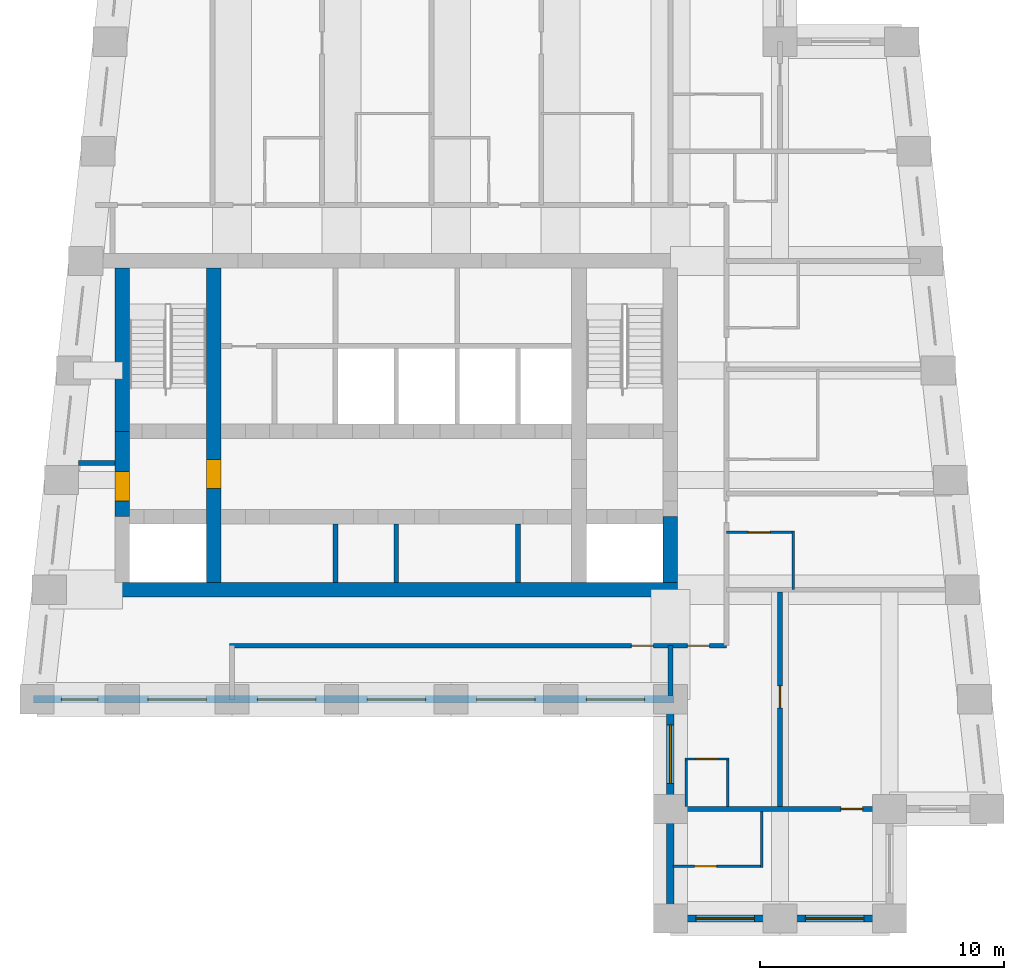
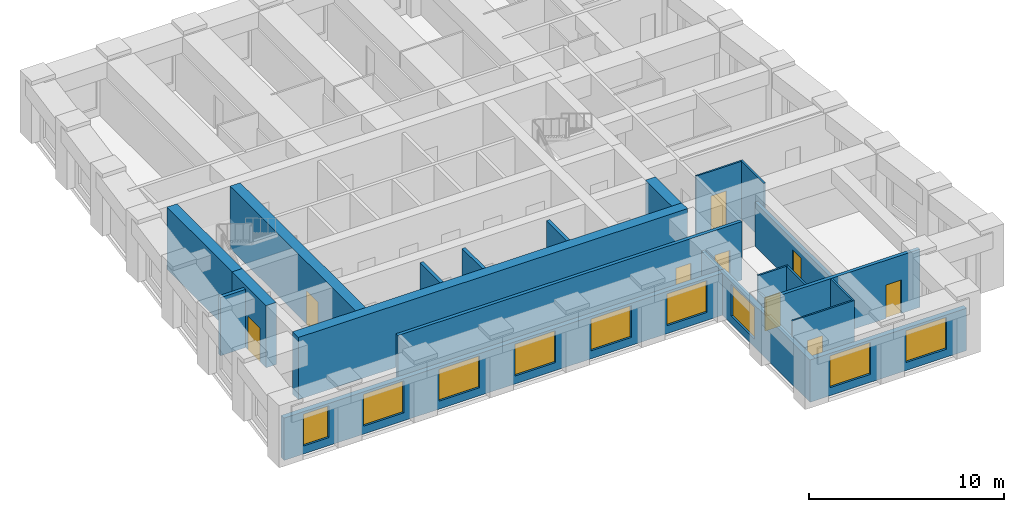
# One storey, part 2 of 7: 23 walls, 9 doors, 9 windows, 18 openings.
"""IFC4 building model written with IfcOpenShell, lengths in metres."""

from ifc_helpers import new_model, si_unit, direction, frame, frame_2d, origin, place, context, subcontext, project, spatial, rectangle, extrude, material, layer, layer_set, type_object, element, fill, save


model = new_model("IFC4")

# Units and contexts
model_context = context("Model", 3, precision=1e-05, world=origin(), true_north=direction((0.0, 1.0)))
body_context = subcontext(model_context, "Body", "Model", "MODEL_VIEW")
ifc_project = project(units=[si_unit("LENGTHUNIT", "METRE"), si_unit("AREAUNIT", "SQUARE_METRE"), si_unit("VOLUMEUNIT", "CUBIC_METRE"), si_unit("PLANEANGLEUNIT", "RADIAN"), si_unit("MASSUNIT", "GRAM", prefix="KILO")], contexts=[model_context])

# Site, building, storey
site_placement = place(None, origin())
site = spatial("IfcSite", under=ifc_project, at=site_placement, CompositionType="ELEMENT")
building_placement = place(site_placement, origin())
building = spatial("IfcBuilding", under=site, at=building_placement, Name="Kilele Tower Hotel", CompositionType="ELEMENT")
storey_placement = place(building_placement, frame((0.0, 0.0, 270.199951171875)))
storey = spatial("IfcBuildingStorey", under=building, at=storey_placement, Name="L69", CompositionType="ELEMENT", Elevation=270.199951171875)

# Wall
ifc_material_1 = material(Name="Moisture-resistant board")
ifc_layer_1 = layer(ifc_material_1, 0.10009765625)
ifc_layer_set_1 = layer_set([ifc_layer_1], Name="Moisture-resistant board")
wall_type_1 = type_object("IfcWallType", Name="Bathroom partition 100", PredefinedType="PLUMBINGWALL", material=ifc_layer_set_1)
wall_1_placement = place(storey_placement, frame((41.050048828125, 13.5, 0.0), z_axis=(0.0, 0.0, 1.0), x_axis=(0.0, 1.0, 0.0)))
element("IfcWall", 1, at=wall_1_placement, inside=storey, type_object=wall_type_1, Name="Bathroom partition 100 L69", PredefinedType="PLUMBINGWALL", context=body_context, shape_type="SweptSolid", body=[
    extrude(rectangle(XDim=2.39990234375, YDim=0.10009765625, at=frame_2d((1.199951171875, 0.0))), origin(), (0.0, 0.0, 1.0), 3.650146484375),
])

# Wall, opening, door
wall_2_placement = place(storey_placement, frame((38.300048828125, 15.85009765625, 0.0), z_axis=(0.0, 0.0, 1.0), x_axis=(1.0, 0.0, 0.0)))
wall_2 = element("IfcWall", 2, at=wall_2_placement, inside=storey, type_object=wall_type_1, Name="Bathroom partition 100 L69", PredefinedType="PLUMBINGWALL", context=body_context, shape_type="SweptSolid", body=[
    extrude(rectangle(XDim=2.800048828125, YDim=0.10009765625, at=frame_2d((1.39990234375, 0.0))), origin(), (0.0, 0.0, 1.0), 3.650146484375),
])
opening_1_placement = place(wall_2_placement, frame((0.89990234375, 0.0, 0.0)))
opening_1 = element("IfcOpeningElement", 3, at=opening_1_placement, cuts=wall_2, Name="Opening D2A", PredefinedType="OPENING", context=body_context, shape_type="SweptSolid", body=[
    extrude(rectangle(XDim=0.89990234375, YDim=2.10009765625, at=frame_2d((0.449951171875, 1.050048828125))), frame((0.0, 0.06005859375, 0.0), z_axis=(0.0, -1.0, 0.0), x_axis=(1.0, 0.0, 0.0)), (0.0, 0.0, 1.0), 0.1201171875),
])
ifc_material_2 = material(Name="Timber door leaf in hardwood frame", Category="wood")
door_type_1 = type_object("IfcDoorType", Name="Bathroom door 900", OperationType="SINGLE_SWING_LEFT", PredefinedType="DOOR", material=ifc_material_2)
door_1_placement = place(opening_1_placement, origin())
door_1 = element("IfcDoor", 4, at=door_1_placement, inside=storey, type_object=door_type_1, Name="Bathroom door 6903B", OperationType="SINGLE_SWING_LEFT", OverallHeight=2.10009765625, OverallWidth=0.89990234375, PredefinedType="DOOR", context=body_context, shape_type="SweptSolid", body=[
    extrude(rectangle(XDim=0.89990234375, YDim=2.10009765625, at=frame_2d((0.449951171875, 1.050048828125))), frame((0.0, 0.02490234375, 0.0), z_axis=(0.0, -1.0, 0.0), x_axis=(1.0, 0.0, 0.0)), (0.0, 0.0, 1.0), 0.050048828125),
])
fill(opening_1, door_1)

# Walls
wall_3_placement = place(storey_placement, frame((38.35009765625, 4.60009765625, 0.0), z_axis=(0.0, 0.0, 1.0), x_axis=(0.0, 1.0, 0.0)))
element("IfcWall", 5, at=wall_3_placement, inside=storey, type_object=wall_type_1, Name="Bathroom partition 100 L69", PredefinedType="PLUMBINGWALL", context=body_context, shape_type="SweptSolid", body=[
    extrude(rectangle(XDim=2.0, YDim=0.10009765625, at=frame_2d((1.0, 0.0))), origin(), (0.0, 0.0, 1.0), 3.650146484375),
])
wall_4_placement = place(storey_placement, frame((36.64990234375, 4.60009765625, 0.0), z_axis=(0.0, 0.0, 1.0), x_axis=(0.0, 1.0, 0.0)))
element("IfcWall", 6, at=wall_4_placement, inside=storey, type_object=wall_type_1, Name="Bathroom partition 100 L69", PredefinedType="PLUMBINGWALL", context=body_context, shape_type="SweptSolid", body=[
    extrude(rectangle(XDim=2.0, YDim=0.10009765625, at=frame_2d((1.0, 0.0))), origin(), (0.0, 0.0, 1.0), 2.650146484375),
])

# Wall, opening, door
wall_5_placement = place(storey_placement, frame((36.60009765625, 6.550048828125, 0.0), z_axis=(0.0, 0.0, 1.0), x_axis=(1.0, 0.0, 0.0)))
wall_5 = element("IfcWall", 7, at=wall_5_placement, inside=storey, type_object=wall_type_1, Name="Bathroom partition 100 L69", PredefinedType="PLUMBINGWALL", context=body_context, shape_type="SweptSolid", body=[
    extrude(rectangle(XDim=1.7998046875, YDim=0.10009765625, at=frame_2d((0.89990234375, 0.0))), origin(), (0.0, 0.0, 1.0), 3.650146484375),
])
opening_2_placement = place(wall_5_placement, frame((0.449951171875, 0.0, 0.0)))
opening_2 = element("IfcOpeningElement", 8, at=opening_2_placement, cuts=wall_5, Name="Opening D2A", PredefinedType="OPENING", context=body_context, shape_type="SweptSolid", body=[
    extrude(rectangle(XDim=0.89990234375, YDim=2.10009765625, at=frame_2d((0.449951171875, 1.050048828125))), frame((0.0, 0.06005859375, 0.0), z_axis=(0.0, -1.0, 0.0), x_axis=(1.0, 0.0, 0.0)), (0.0, 0.0, 1.0), 0.1201171875),
])
door_2_placement = place(opening_2_placement, origin())
door_2 = element("IfcDoor", 9, at=door_2_placement, inside=storey, type_object=door_type_1, Name="Bathroom door 6911P", OperationType="SINGLE_SWING_LEFT", OverallHeight=2.10009765625, OverallWidth=0.89990234375, PredefinedType="DOOR", context=body_context, shape_type="SweptSolid", body=[
    extrude(rectangle(XDim=0.89990234375, YDim=2.10009765625, at=frame_2d((0.449951171875, 1.050048828125))), frame((0.0, 0.02490234375, 0.0), z_axis=(0.0, -1.0, 0.0), x_axis=(1.0, 0.0, 0.0)), (0.0, 0.0, 1.0), 0.050048828125),
])
fill(opening_2, door_2)

# Wall
wall_6_placement = place(storey_placement, frame((39.75, 4.39990234375, 0.0), z_axis=(0.0, 0.0, 1.0), x_axis=(0.0, -1.0, 0.0)))
element("IfcWall", 10, at=wall_6_placement, inside=storey, type_object=wall_type_1, Name="Bathroom partition 100 L69", PredefinedType="PLUMBINGWALL", context=body_context, shape_type="SweptSolid", body=[
    extrude(rectangle(XDim=2.2998046875, YDim=0.10009765625, at=frame_2d((1.14990234375, 0.0))), origin(), (0.0, 0.0, 1.0), 3.650146484375),
])

# Wall, opening, door
wall_7_placement = place(storey_placement, frame((36.10009765625, 2.14990234375, 0.0), z_axis=(0.0, 0.0, 1.0), x_axis=(1.0, 0.0, 0.0)))
wall_7 = element("IfcWall", 11, at=wall_7_placement, inside=storey, type_object=wall_type_1, Name="Bathroom partition 100 L69", PredefinedType="PLUMBINGWALL", context=body_context, shape_type="SweptSolid", body=[
    extrude(rectangle(XDim=3.699951171875, YDim=0.10009765625, at=frame_2d((1.85009765625, 0.0))), origin(), (0.0, 0.0, 1.0), 3.650146484375),
])
opening_3_placement = place(wall_7_placement, frame((1.7998046875, 0.0, 0.0), z_axis=(0.0, 0.0, 1.0), x_axis=(-1.0, 0.0, 0.0)))
opening_3 = element("IfcOpeningElement", 12, at=opening_3_placement, cuts=wall_7, Name="Opening D2A", PredefinedType="OPENING", context=body_context, shape_type="SweptSolid", body=[
    extrude(rectangle(XDim=0.89990234375, YDim=2.10009765625, at=frame_2d((0.449951171875, 1.050048828125))), frame((0.0, 0.06005859375, 0.0), z_axis=(0.0, -1.0, 0.0), x_axis=(1.0, 0.0, 0.0)), (0.0, 0.0, 1.0), 0.1201171875),
])
door_3_placement = place(opening_3_placement, origin())
door_3 = element("IfcDoor", 13, at=door_3_placement, inside=storey, type_object=door_type_1, Name="Bathroom door 6913B", OperationType="SINGLE_SWING_RIGHT", OverallHeight=2.10009765625, OverallWidth=0.89990234375, PredefinedType="DOOR", context=body_context, shape_type="SweptSolid", body=[
    extrude(rectangle(XDim=0.89990234375, YDim=2.10009765625, at=frame_2d((0.449951171875, 1.050048828125))), frame((0.0, 0.02490234375, 0.0), z_axis=(0.0, -1.0, 0.0), x_axis=(1.0, 0.0, 0.0)), (0.0, 0.0, 1.0), 0.050048828125),
])
fill(opening_3, door_3)

# Wall
ifc_material_3 = material(Name="Concrete C60/75", Category="concrete")
ifc_layer_2 = layer(ifc_material_3, 0.60009765625)
ifc_layer_set_2 = layer_set([ifc_layer_2], Name="Concrete C60/75")
wall_type_2 = type_object("IfcWallType", Name="Core wall 600 C60/75", PredefinedType="SHEAR", material=ifc_layer_set_2)
wall_8_placement = place(storey_placement, frame((13.199951171875, 13.5, 0.0), z_axis=(0.0, 0.0, 1.0), x_axis=(1.0, 0.0, 0.0)))
element("IfcWall", 14, at=wall_8_placement, inside=storey, type_object=wall_type_2, Name="Core wall S L69", PredefinedType="SHEAR", context=body_context, shape_type="SweptSolid", body=[
    extrude(rectangle(XDim=23.10009765625, YDim=0.60009765625, at=frame_2d((11.550048828125, 0.0))), origin(), (0.0, 0.0, 1.0), 3.900146484375),
])

# Wall, opening, door
wall_9_placement = place(storey_placement, frame((17.25, 13.800048828125, 0.0), z_axis=(0.0, 0.0, 1.0), x_axis=(0.0, 1.0, 0.0)))
wall_9 = element("IfcWall", 15, at=wall_9_placement, inside=storey, type_object=wall_type_2, Name="Core wall IW L69", PredefinedType="SHEAR", context=body_context, shape_type="SweptSolid", body=[
    extrude(rectangle(XDim=12.89990234375, YDim=0.60009765625, at=frame_2d((6.449951171875, 0.0))), origin(), (0.0, 0.0, 1.0), 3.900146484375),
])
opening_4_placement = place(wall_9_placement, frame((3.85009765625, 0.0, 0.0)))
opening_4 = element("IfcOpeningElement", 16, at=opening_4_placement, cuts=wall_9, Name="Opening D4", PredefinedType="OPENING", context=body_context, shape_type="SweptSolid", body=[
    extrude(rectangle(XDim=1.199951171875, YDim=2.10009765625, at=frame_2d((0.60009765625, 1.050048828125))), frame((0.0, 0.31005859375, 0.0), z_axis=(0.0, -1.0, 0.0), x_axis=(1.0, 0.0, 0.0)), (0.0, 0.0, 1.0), 0.6201171875),
])
ifc_material_4 = material(Name="Timber door leaf in hardwood frame", Category="wood")
door_type_2 = type_object("IfcDoorType", Name="Firefighting lobby door 1200", OperationType="SINGLE_SWING_LEFT", PredefinedType="DOOR", material=ifc_material_4)
door_4_placement = place(opening_4_placement, origin())
door_4 = element("IfcDoor", 17, at=door_4_placement, inside=storey, type_object=door_type_2, Name="Lobby door L69", OperationType="SINGLE_SWING_LEFT", OverallHeight=2.10009765625, OverallWidth=1.199951171875, PredefinedType="DOOR", context=body_context, shape_type="SweptSolid", body=[
    extrude(rectangle(XDim=1.199951171875, YDim=2.10009765625, at=frame_2d((0.60009765625, 1.050048828125))), frame((0.0, 0.2998046875, 0.0), z_axis=(0.0, -1.0, 0.0), x_axis=(1.0, 0.0, 0.0)), (0.0, 0.0, 1.0), 0.599609375),
])
fill(opening_4, door_4)

# Wall
wall_10_placement = place(storey_placement, frame((13.5, 26.699951171875, 0.0), z_axis=(0.0, 0.0, 1.0), x_axis=(0.0, -1.0, 0.0)))
element("IfcWall", 18, at=wall_10_placement, inside=storey, type_object=wall_type_2, Name="Core wall W1 L69", PredefinedType="SHEAR", context=body_context, shape_type="SweptSolid", body=[
    extrude(rectangle(XDim=6.699951171875, YDim=0.60009765625, at=frame_2d((3.35009765625, 0.0))), origin(), (0.0, 0.0, 1.0), 3.900146484375),
])

# Wall, opening, door
wall_11_placement = place(storey_placement, frame((13.5, 20.0, 0.0), z_axis=(0.0, 0.0, 1.0), x_axis=(0.0, -1.0, 0.0)))
wall_11 = element("IfcWall", 19, at=wall_11_placement, inside=storey, type_object=wall_type_2, Name="Core wall W2 L69", PredefinedType="SHEAR", context=body_context, shape_type="SweptSolid", body=[
    extrude(rectangle(XDim=3.5, YDim=0.60009765625, at=frame_2d((1.75, 0.0))), origin(), (0.0, 0.0, 1.0), 3.900146484375),
])
opening_5_placement = place(wall_11_placement, frame((1.64990234375, 0.0, 0.0)))
opening_5 = element("IfcOpeningElement", 20, at=opening_5_placement, cuts=wall_11, Name="Opening D4", PredefinedType="OPENING", context=body_context, shape_type="SweptSolid", body=[
    extrude(rectangle(XDim=1.199951171875, YDim=2.10009765625, at=frame_2d((0.60009765625, 1.050048828125))), frame((0.0, 0.31005859375, 0.0), z_axis=(0.0, -1.0, 0.0), x_axis=(1.0, 0.0, 0.0)), (0.0, 0.0, 1.0), 0.6201171875),
])
door_5_placement = place(opening_5_placement, origin())
door_5 = element("IfcDoor", 21, at=door_5_placement, inside=storey, type_object=door_type_2, Name="Lobby door L69", OperationType="SINGLE_SWING_RIGHT", OverallHeight=2.10009765625, OverallWidth=1.199951171875, PredefinedType="DOOR", context=body_context, shape_type="SweptSolid", body=[
    extrude(rectangle(XDim=1.199951171875, YDim=2.10009765625, at=frame_2d((0.60009765625, 1.050048828125))), frame((0.0, 0.2998046875, 0.0), z_axis=(0.0, -1.0, 0.0), x_axis=(1.0, 0.0, 0.0)), (0.0, 0.0, 1.0), 0.599609375),
])
fill(opening_5, door_5)

# Wall
wall_12_placement = place(storey_placement, frame((36.0, 13.800048828125, 0.0), z_axis=(0.0, 0.0, 1.0), x_axis=(0.0, 1.0, 0.0)))
element("IfcWall", 22, at=wall_12_placement, inside=storey, type_object=wall_type_2, Name="Core wall E1 L69", PredefinedType="SHEAR", context=body_context, shape_type="SweptSolid", body=[
    extrude(rectangle(XDim=2.699951171875, YDim=0.60009765625, at=frame_2d((1.35009765625, 0.0))), origin(), (0.0, 0.0, 1.0), 3.900146484375),
])

# Wall, openings, doors
ifc_material_5 = material(Name="Blockwork, plastered both sides", Category="masonry")
ifc_layer_3 = layer(ifc_material_5, 0.199951171875)
ifc_layer_set_3 = layer_set([ifc_layer_3], Name="Blockwork, plastered both sides")
wall_type_3 = type_object("IfcWallType", Name="Corridor wall 200", PredefinedType="PARTITIONING", material=ifc_layer_set_3)
wall_13_placement = place(storey_placement, frame((17.89990234375, 11.199951171875, 0.0), z_axis=(0.0, 0.0, 1.0), x_axis=(1.0, 0.0, 0.0)))
wall_13 = element("IfcWall", 23, at=wall_13_placement, inside=storey, type_object=wall_type_3, Name="Corridor wall 200 L69", PredefinedType="PARTITIONING", context=body_context, shape_type="SweptSolid", body=[
    extrude(rectangle(XDim=20.400146484375, YDim=0.199951171875, at=frame_2d((10.2001953125, 0.0))), origin(), (0.0, 0.0, 1.0), 3.650146484375),
])
opening_6_placement = place(wall_13_placement, frame((17.39990234375, 0.0, 0.0), z_axis=(0.0, 0.0, 1.0), x_axis=(-1.0, 0.0, 0.0)))
opening_6 = element("IfcOpeningElement", 24, at=opening_6_placement, cuts=wall_13, Name="Opening D1", PredefinedType="OPENING", context=body_context, shape_type="SweptSolid", body=[
    extrude(rectangle(XDim=0.89990234375, YDim=2.10009765625, at=frame_2d((0.449951171875, 1.050048828125))), frame((0.0, 0.10986328125, 0.0), z_axis=(0.0, -1.0, 0.0), x_axis=(1.0, 0.0, 0.0)), (0.0, 0.0, 1.0), 0.219970703125),
])
opening_7_placement = place(wall_13_placement, frame((19.699951171875, 0.0, 0.0), z_axis=(0.0, 0.0, 1.0), x_axis=(-1.0, 0.0, 0.0)))
opening_7 = element("IfcOpeningElement", 25, at=opening_7_placement, cuts=wall_13, Name="Opening D1", PredefinedType="OPENING", context=body_context, shape_type="SweptSolid", body=[
    extrude(rectangle(XDim=0.89990234375, YDim=2.10009765625, at=frame_2d((0.449951171875, 1.050048828125))), frame((0.0, 0.10986328125, 0.0), z_axis=(0.0, -1.0, 0.0), x_axis=(1.0, 0.0, 0.0)), (0.0, 0.0, 1.0), 0.219970703125),
])
ifc_material_6 = material(Name="Timber door leaf in hardwood frame", Category="wood")
door_type_3 = type_object("IfcDoorType", Name="Guest room entrance door 900", OperationType="SINGLE_SWING_LEFT", PredefinedType="DOOR", material=ifc_material_6)
door_6_placement = place(opening_6_placement, origin())
door_6 = element("IfcDoor", 26, at=door_6_placement, inside=storey, type_object=door_type_3, Name="Room entrance 6902", OperationType="SINGLE_SWING_LEFT", OverallHeight=2.10009765625, OverallWidth=0.89990234375, PredefinedType="DOOR", context=body_context, shape_type="SweptSolid", body=[
    extrude(rectangle(XDim=0.89990234375, YDim=2.10009765625, at=frame_2d((0.449951171875, 1.050048828125))), frame((0.0, 0.02490234375, 0.0), z_axis=(0.0, -1.0, 0.0), x_axis=(1.0, 0.0, 0.0)), (0.0, 0.0, 1.0), 0.050048828125),
])
fill(opening_6, door_6)
door_7_placement = place(opening_7_placement, origin())
door_7 = element("IfcDoor", 27, at=door_7_placement, inside=storey, type_object=door_type_3, Name="Room entrance 6911", OperationType="SINGLE_SWING_RIGHT", OverallHeight=2.10009765625, OverallWidth=0.89990234375, PredefinedType="DOOR", context=body_context, shape_type="SweptSolid", body=[
    extrude(rectangle(XDim=0.89990234375, YDim=2.10009765625, at=frame_2d((0.449951171875, 1.050048828125))), frame((0.0, 0.02490234375, 0.0), z_axis=(0.0, -1.0, 0.0), x_axis=(1.0, 0.0, 0.0)), (0.0, 0.0, 1.0), 0.050048828125),
])
fill(opening_7, door_7)

# Wall
ifc_material_7 = material(Name="Blockwork, plastered both sides", Category="masonry")
ifc_layer_4 = layer(ifc_material_7, 0.199951171875)
ifc_layer_set_4 = layer_set([ifc_layer_4], Name="Blockwork, plastered both sides")
wall_type_4 = type_object("IfcWallType", Name="Partition wall 200", PredefinedType="PARTITIONING", material=ifc_layer_set_4)
wall_14_placement = place(storey_placement, frame((13.199951171875, 18.699951171875, 0.0), z_axis=(0.0, 0.0, 1.0), x_axis=(-1.0, 0.0, 0.0)))
element("IfcWall", 28, at=wall_14_placement, inside=storey, type_object=wall_type_4, Name="Partition wall 200 L69", PredefinedType="PARTITIONING", context=body_context, shape_type="SweptSolid", body=[
    extrude(rectangle(XDim=1.5, YDim=0.199951171875, at=frame_2d((0.75, 0.0))), origin(), (0.0, 0.0, 1.0), 3.650146484375),
])

# Wall, opening, door
wall_15_placement = place(storey_placement, frame((40.5, 4.60009765625, 0.0), z_axis=(0.0, 0.0, 1.0), x_axis=(0.0, 1.0, 0.0)))
wall_15 = element("IfcWall", 29, at=wall_15_placement, inside=storey, type_object=wall_type_4, Name="Partition wall 200 L69", PredefinedType="PARTITIONING", context=body_context, shape_type="SweptSolid", body=[
    extrude(rectangle(XDim=8.7998046875, YDim=0.199951171875, at=frame_2d((4.39990234375, 0.0))), origin(), (0.0, 0.0, 1.0), 2.75),
])
opening_8_placement = place(wall_15_placement, frame((4.050048828125, 0.0, 0.0)))
opening_8 = element("IfcOpeningElement", 30, at=opening_8_placement, cuts=wall_15, Name="Opening D3", PredefinedType="OPENING", context=body_context, shape_type="SweptSolid", body=[
    extrude(rectangle(XDim=0.89990234375, YDim=2.10009765625, at=frame_2d((0.449951171875, 1.050048828125))), frame((0.0, 0.10986328125, 0.0), z_axis=(0.0, -1.0, 0.0), x_axis=(1.0, 0.0, 0.0)), (0.0, 0.0, 1.0), 0.219970703125),
])
ifc_material_8 = material(Name="Timber door leaf in hardwood frame", Category="wood")
door_type_4 = type_object("IfcDoorType", Name="Suite internal door 900", OperationType="SINGLE_SWING_LEFT", PredefinedType="DOOR", material=ifc_material_8)
door_8_placement = place(opening_8_placement, origin())
door_8 = element("IfcDoor", 31, at=door_8_placement, inside=storey, type_object=door_type_4, Name="Suite door 6912", OperationType="SINGLE_SWING_RIGHT", OverallHeight=2.10009765625, OverallWidth=0.89990234375, PredefinedType="DOOR", context=body_context, shape_type="SweptSolid", body=[
    extrude(rectangle(XDim=0.89990234375, YDim=2.10009765625, at=frame_2d((0.449951171875, 1.050048828125))), frame((0.0, 0.02490234375, 0.0), z_axis=(0.0, -1.0, 0.0), x_axis=(1.0, 0.0, 0.0)), (0.0, 0.0, 1.0), 0.050048828125),
])
fill(opening_8, door_8)

# Wall
ifc_material_9 = material(Name="Blockwork, plastered both sides", Category="masonry")
ifc_layer_5 = layer(ifc_material_9, 0.199951171875)
ifc_layer_set_5 = layer_set([ifc_layer_5], Name="Blockwork, plastered both sides")
wall_type_5 = type_object("IfcWallType", Name="Party wall 200", PredefinedType="PARTITIONING", material=ifc_layer_set_5)
wall_16_placement = place(storey_placement, frame((36.0, 11.199951171875, 0.0), z_axis=(0.0, 0.0, 1.0), x_axis=(0.0, -1.0, 0.0)))
element("IfcWall", 32, at=wall_16_placement, inside=storey, type_object=wall_type_5, Name="Party wall 200 L69", PredefinedType="PARTITIONING", context=body_context, shape_type="SweptSolid", body=[
    extrude(rectangle(XDim=2.050048828125, YDim=0.199951171875, at=frame_2d((1.02490234375, 0.0))), origin(), (0.0, 0.0, 1.0), 2.650146484375),
])

# Wall, opening, door
wall_17_placement = place(storey_placement, frame((35.89990234375, 4.5, 0.0), z_axis=(0.0, 0.0, 1.0), x_axis=(1.0, 0.0, 0.0)))
wall_17 = element("IfcWall", 33, at=wall_17_placement, inside=storey, type_object=wall_type_5, Name="Party wall 200 L69", PredefinedType="PARTITIONING", context=body_context, shape_type="SweptSolid", body=[
    extrude(rectangle(XDim=9.10009765625, YDim=0.199951171875, at=frame_2d((4.550048828125, 0.0))), origin(), (0.0, 0.0, 1.0), 3.650146484375),
])
opening_9_placement = place(wall_17_placement, frame((7.10009765625, 0.0, 0.0)))
opening_9 = element("IfcOpeningElement", 34, at=opening_9_placement, cuts=wall_17, Name="Opening D3", PredefinedType="OPENING", context=body_context, shape_type="SweptSolid", body=[
    extrude(rectangle(XDim=0.89990234375, YDim=2.10009765625, at=frame_2d((0.449951171875, 1.050048828125))), frame((0.0, 0.10986328125, 0.0), z_axis=(0.0, -1.0, 0.0), x_axis=(1.0, 0.0, 0.0)), (0.0, 0.0, 1.0), 0.219970703125),
])
door_9_placement = place(opening_9_placement, origin())
door_9 = element("IfcDoor", 35, at=door_9_placement, inside=storey, type_object=door_type_4, Name="Suite door 6913", OperationType="SINGLE_SWING_RIGHT", OverallHeight=2.10009765625, OverallWidth=0.89990234375, PredefinedType="DOOR", context=body_context, shape_type="SweptSolid", body=[
    extrude(rectangle(XDim=0.89990234375, YDim=2.10009765625, at=frame_2d((0.449951171875, 1.050048828125))), frame((0.0, 0.02490234375, 0.0), z_axis=(0.0, -1.0, 0.0), x_axis=(1.0, 0.0, 0.0)), (0.0, 0.0, 1.0), 0.050048828125),
])
fill(opening_9, door_9)

# Wall, openings, windows
ifc_material_10 = material(Name="Concrete C40/50 precast", Category="concrete")
ifc_layer_6 = layer(ifc_material_10, 0.260009765625, Name="Precast backing", Category="LoadBearing")
ifc_material_11 = material(Name="Reconstituted stone finish", Category="masonry")
ifc_layer_7 = layer(ifc_material_11, 0.0400390625, Name="Face mix", Category="Finish")
ifc_layer_set_6 = layer_set([ifc_layer_6, ifc_layer_7], Name="Precast concrete C40/50, reconstituted stone finish")
wall_type_6 = type_object("IfcWallType", Name="Precast stone facade wall 300", PredefinedType="STANDARD", material=ifc_layer_set_6)
wall_18_placement = place(storey_placement, frame((9.85009765625, 9.0, 0.0), z_axis=(0.0, 0.0, 1.0), x_axis=(1.0, 0.0, 0.0)))
wall_18 = element("IfcWall", 36, at=wall_18_placement, inside=storey, type_object=wall_type_6, Name="Facade wall L69 edge 1", PredefinedType="STANDARD", context=body_context, shape_type="SweptSolid", body=[
    extrude(rectangle(XDim=26.2998046875, YDim=0.300048828125, at=frame_2d((13.14990234375, 0.0))), origin(), (0.0, 0.0, 1.0), 2.650146484375),
])
opening_10_placement = place(wall_18_placement, frame((1.14990234375, 0.0, 0.5)))
opening_10 = element("IfcOpeningElement", 37, at=opening_10_placement, cuts=wall_18, Name="Opening W4", PredefinedType="OPENING", context=body_context, shape_type="SweptSolid", body=[
    extrude(rectangle(XDim=1.5, YDim=2.0, at=frame_2d((0.75, 1.0))), frame((0.0, 0.159912109375, 0.0), z_axis=(0.0, -1.0, 0.0), x_axis=(1.0, 0.0, 0.0)), (0.0, 0.0, 1.0), 0.320068359375),
])
opening_11_placement = place(wall_18_placement, frame((4.699951171875, 0.0, 0.5)))
opening_11 = element("IfcOpeningElement", 38, at=opening_11_placement, cuts=wall_18, Name="Opening W4", PredefinedType="OPENING", context=body_context, shape_type="SweptSolid", body=[
    extrude(rectangle(XDim=2.39990234375, YDim=2.0, at=frame_2d((1.199951171875, 1.0))), frame((0.0, 0.159912109375, 0.0), z_axis=(0.0, -1.0, 0.0), x_axis=(1.0, 0.0, 0.0)), (0.0, 0.0, 1.0), 0.320068359375),
])
opening_12_placement = place(wall_18_placement, frame((9.199951171875, 0.0, 0.5)))
opening_12 = element("IfcOpeningElement", 39, at=opening_12_placement, cuts=wall_18, Name="Opening W4", PredefinedType="OPENING", context=body_context, shape_type="SweptSolid", body=[
    extrude(rectangle(XDim=2.39990234375, YDim=2.0, at=frame_2d((1.199951171875, 1.0))), frame((0.0, 0.159912109375, 0.0), z_axis=(0.0, -1.0, 0.0), x_axis=(1.0, 0.0, 0.0)), (0.0, 0.0, 1.0), 0.320068359375),
])
opening_13_placement = place(wall_18_placement, frame((13.699951171875, 0.0, 0.5)))
opening_13 = element("IfcOpeningElement", 40, at=opening_13_placement, cuts=wall_18, Name="Opening W4", PredefinedType="OPENING", context=body_context, shape_type="SweptSolid", body=[
    extrude(rectangle(XDim=2.39990234375, YDim=2.0, at=frame_2d((1.199951171875, 1.0))), frame((0.0, 0.159912109375, 0.0), z_axis=(0.0, -1.0, 0.0), x_axis=(1.0, 0.0, 0.0)), (0.0, 0.0, 1.0), 0.320068359375),
])
opening_14_placement = place(wall_18_placement, frame((18.199951171875, 0.0, 0.5)))
opening_14 = element("IfcOpeningElement", 41, at=opening_14_placement, cuts=wall_18, Name="Opening W4", PredefinedType="OPENING", context=body_context, shape_type="SweptSolid", body=[
    extrude(rectangle(XDim=2.39990234375, YDim=2.0, at=frame_2d((1.199951171875, 1.0))), frame((0.0, 0.159912109375, 0.0), z_axis=(0.0, -1.0, 0.0), x_axis=(1.0, 0.0, 0.0)), (0.0, 0.0, 1.0), 0.320068359375),
])
opening_15_placement = place(wall_18_placement, frame((22.699951171875, 0.0, 0.5)))
opening_15 = element("IfcOpeningElement", 42, at=opening_15_placement, cuts=wall_18, Name="Opening W4", PredefinedType="OPENING", context=body_context, shape_type="SweptSolid", body=[
    extrude(rectangle(XDim=2.39990234375, YDim=2.0, at=frame_2d((1.199951171875, 1.0))), frame((0.0, 0.159912109375, 0.0), z_axis=(0.0, -1.0, 0.0), x_axis=(1.0, 0.0, 0.0)), (0.0, 0.0, 1.0), 0.320068359375),
])
ifc_material_12 = material(Name="Aluminium frame, clear double glazing", Category="aluminium")
window_type_1 = type_object("IfcWindowType", Name="Window W4 1500 x 2000", PartitioningType="SINGLE_PANEL", PredefinedType="WINDOW", material=ifc_material_12)
window_1_placement = place(opening_10_placement, origin())
window_1 = element("IfcWindow", 43, at=window_1_placement, inside=storey, type_object=window_type_1, Name="Window L69", OverallHeight=2.0, OverallWidth=1.5, PartitioningType="SINGLE_PANEL", PredefinedType="WINDOW", context=body_context, shape_type="SweptSolid", body=[
    extrude(rectangle(XDim=1.5, YDim=2.0, at=frame_2d((0.75, 1.0))), frame((0.0, 0.030029296875, 0.0), z_axis=(0.0, -1.0, 0.0), x_axis=(1.0, 0.0, 0.0)), (0.0, 0.0, 1.0), 0.06005859375),
])
fill(opening_10, window_1)
ifc_material_13 = material(Name="Aluminium frame, clear double glazing", Category="aluminium")
window_type_2 = type_object("IfcWindowType", Name="Window W4 2400 x 2000", PartitioningType="SINGLE_PANEL", PredefinedType="WINDOW", material=ifc_material_13)
window_2_placement = place(opening_11_placement, origin())
window_2 = element("IfcWindow", 44, at=window_2_placement, inside=storey, type_object=window_type_2, Name="Window L69", OverallHeight=2.0, OverallWidth=2.39990234375, PartitioningType="SINGLE_PANEL", PredefinedType="WINDOW", context=body_context, shape_type="SweptSolid", body=[
    extrude(rectangle(XDim=2.39990234375, YDim=2.0, at=frame_2d((1.199951171875, 1.0))), frame((0.0, 0.030029296875, 0.0), z_axis=(0.0, -1.0, 0.0), x_axis=(1.0, 0.0, 0.0)), (0.0, 0.0, 1.0), 0.06005859375),
])
fill(opening_11, window_2)
window_3_placement = place(opening_12_placement, origin())
window_3 = element("IfcWindow", 45, at=window_3_placement, inside=storey, type_object=window_type_2, Name="Window L69", OverallHeight=2.0, OverallWidth=2.39990234375, PartitioningType="SINGLE_PANEL", PredefinedType="WINDOW", context=body_context, shape_type="SweptSolid", body=[
    extrude(rectangle(XDim=2.39990234375, YDim=2.0, at=frame_2d((1.199951171875, 1.0))), frame((0.0, 0.030029296875, 0.0), z_axis=(0.0, -1.0, 0.0), x_axis=(1.0, 0.0, 0.0)), (0.0, 0.0, 1.0), 0.06005859375),
])
fill(opening_12, window_3)
window_4_placement = place(opening_13_placement, origin())
window_4 = element("IfcWindow", 46, at=window_4_placement, inside=storey, type_object=window_type_2, Name="Window L69", OverallHeight=2.0, OverallWidth=2.39990234375, PartitioningType="SINGLE_PANEL", PredefinedType="WINDOW", context=body_context, shape_type="SweptSolid", body=[
    extrude(rectangle(XDim=2.39990234375, YDim=2.0, at=frame_2d((1.199951171875, 1.0))), frame((0.0, 0.030029296875, 0.0), z_axis=(0.0, -1.0, 0.0), x_axis=(1.0, 0.0, 0.0)), (0.0, 0.0, 1.0), 0.06005859375),
])
fill(opening_13, window_4)
window_5_placement = place(opening_14_placement, origin())
window_5 = element("IfcWindow", 47, at=window_5_placement, inside=storey, type_object=window_type_2, Name="Window L69", OverallHeight=2.0, OverallWidth=2.39990234375, PartitioningType="SINGLE_PANEL", PredefinedType="WINDOW", context=body_context, shape_type="SweptSolid", body=[
    extrude(rectangle(XDim=2.39990234375, YDim=2.0, at=frame_2d((1.199951171875, 1.0))), frame((0.0, 0.030029296875, 0.0), z_axis=(0.0, -1.0, 0.0), x_axis=(1.0, 0.0, 0.0)), (0.0, 0.0, 1.0), 0.06005859375),
])
fill(opening_14, window_5)
window_6_placement = place(opening_15_placement, origin())
window_6 = element("IfcWindow", 48, at=window_6_placement, inside=storey, type_object=window_type_2, Name="Window L69", OverallHeight=2.0, OverallWidth=2.39990234375, PartitioningType="SINGLE_PANEL", PredefinedType="WINDOW", context=body_context, shape_type="SweptSolid", body=[
    extrude(rectangle(XDim=2.39990234375, YDim=2.0, at=frame_2d((1.199951171875, 1.0))), frame((0.0, 0.030029296875, 0.0), z_axis=(0.0, -1.0, 0.0), x_axis=(1.0, 0.0, 0.0)), (0.0, 0.0, 1.0), 0.06005859375),
])
fill(opening_15, window_6)

# Wall, opening, window
wall_19_placement = place(storey_placement, frame((36.0, 9.14990234375, 0.0), z_axis=(0.0, 0.0, 1.0), x_axis=(0.0, -1.0, 0.0)))
wall_19 = element("IfcWall", 49, at=wall_19_placement, inside=storey, type_object=wall_type_6, Name="Facade wall L69 edge 2", PredefinedType="STANDARD", context=body_context, shape_type="SweptSolid", body=[
    extrude(rectangle(XDim=9.2998046875, YDim=0.300048828125, at=frame_2d((4.64990234375, 0.0))), origin(), (0.0, 0.0, 1.0), 2.650146484375),
])
opening_16_placement = place(wall_19_placement, frame((1.199951171875, 0.0, 0.5)))
opening_16 = element("IfcOpeningElement", 50, at=opening_16_placement, cuts=wall_19, Name="Opening W4", PredefinedType="OPENING", context=body_context, shape_type="SweptSolid", body=[
    extrude(rectangle(XDim=2.39990234375, YDim=2.0, at=frame_2d((1.199951171875, 1.0))), frame((0.0, 0.159912109375, 0.0), z_axis=(0.0, -1.0, 0.0), x_axis=(1.0, 0.0, 0.0)), (0.0, 0.0, 1.0), 0.320068359375),
])
window_7_placement = place(opening_16_placement, origin())
window_7 = element("IfcWindow", 51, at=window_7_placement, inside=storey, type_object=window_type_2, Name="Window L69", OverallHeight=2.0, OverallWidth=2.39990234375, PartitioningType="SINGLE_PANEL", PredefinedType="WINDOW", context=body_context, shape_type="SweptSolid", body=[
    extrude(rectangle(XDim=2.39990234375, YDim=2.0, at=frame_2d((1.199951171875, 1.0))), frame((0.0, 0.030029296875, 0.0), z_axis=(0.0, -1.0, 0.0), x_axis=(1.0, 0.0, 0.0)), (0.0, 0.0, 1.0), 0.06005859375),
])
fill(opening_16, window_7)

# Wall, openings, windows
wall_20_placement = place(storey_placement, frame((35.85009765625, 0.0, 0.0), z_axis=(0.0, 0.0, 1.0), x_axis=(1.0, 0.0, 0.0)))
wall_20 = element("IfcWall", 52, at=wall_20_placement, inside=storey, type_object=wall_type_6, Name="Facade wall L69 edge 3", PredefinedType="STANDARD", context=body_context, shape_type="SweptSolid", body=[
    extrude(rectangle(XDim=9.2998046875, YDim=0.300048828125, at=frame_2d((4.64990234375, 0.0))), origin(), (0.0, 0.0, 1.0), 2.650146484375),
])
opening_17_placement = place(wall_20_placement, frame((1.199951171875, 0.0, 0.5)))
opening_17 = element("IfcOpeningElement", 53, at=opening_17_placement, cuts=wall_20, Name="Opening W4", PredefinedType="OPENING", context=body_context, shape_type="SweptSolid", body=[
    extrude(rectangle(XDim=2.39990234375, YDim=2.0, at=frame_2d((1.199951171875, 1.0))), frame((0.0, 0.159912109375, 0.0), z_axis=(0.0, -1.0, 0.0), x_axis=(1.0, 0.0, 0.0)), (0.0, 0.0, 1.0), 0.320068359375),
])
opening_18_placement = place(wall_20_placement, frame((5.699951171875, 0.0, 0.5)))
opening_18 = element("IfcOpeningElement", 54, at=opening_18_placement, cuts=wall_20, Name="Opening W4", PredefinedType="OPENING", context=body_context, shape_type="SweptSolid", body=[
    extrude(rectangle(XDim=2.39990234375, YDim=2.0, at=frame_2d((1.199951171875, 1.0))), frame((0.0, 0.159912109375, 0.0), z_axis=(0.0, -1.0, 0.0), x_axis=(1.0, 0.0, 0.0)), (0.0, 0.0, 1.0), 0.320068359375),
])
window_8_placement = place(opening_17_placement, origin())
window_8 = element("IfcWindow", 55, at=window_8_placement, inside=storey, type_object=window_type_2, Name="Window L69", OverallHeight=2.0, OverallWidth=2.39990234375, PartitioningType="SINGLE_PANEL", PredefinedType="WINDOW", context=body_context, shape_type="SweptSolid", body=[
    extrude(rectangle(XDim=2.39990234375, YDim=2.0, at=frame_2d((1.199951171875, 1.0))), frame((0.0, 0.030029296875, 0.0), z_axis=(0.0, -1.0, 0.0), x_axis=(1.0, 0.0, 0.0)), (0.0, 0.0, 1.0), 0.06005859375),
])
fill(opening_17, window_8)
window_9_placement = place(opening_18_placement, origin())
window_9 = element("IfcWindow", 56, at=window_9_placement, inside=storey, type_object=window_type_2, Name="Window L69", OverallHeight=2.0, OverallWidth=2.39990234375, PartitioningType="SINGLE_PANEL", PredefinedType="WINDOW", context=body_context, shape_type="SweptSolid", body=[
    extrude(rectangle(XDim=2.39990234375, YDim=2.0, at=frame_2d((1.199951171875, 1.0))), frame((0.0, 0.030029296875, 0.0), z_axis=(0.0, -1.0, 0.0), x_axis=(1.0, 0.0, 0.0)), (0.0, 0.0, 1.0), 0.06005859375),
])
fill(opening_18, window_9)

# Walls
ifc_material_14 = material(Name="Blockwork, fire-rated", Category="masonry")
ifc_layer_8 = layer(ifc_material_14, 0.199951171875)
ifc_layer_set_7 = layer_set([ifc_layer_8], Name="Blockwork, fire-rated")
wall_type_7 = type_object("IfcWallType", Name="Shaft wall 200", PredefinedType="PARTITIONING", material=ifc_layer_set_7)
for number, where, z_axis, x_axis, name in (
    (57, (22.25, 13.800048828125, 0.0), (0.0, 0.0, 1.0), (0.0, 1.0, 0.0), "Shaft wall 200 L69"),
    (58, (24.75, 13.800048828125, 0.0), (0.0, 0.0, 1.0), (0.0, 1.0, 0.0), "Shaft wall 200 L69"),
    (59, (29.75, 13.800048828125, 0.0), (0.0, 0.0, 1.0), (0.0, 1.0, 0.0), "Shaft wall 200 L69"),
):
    element("IfcWall", number, at=place(storey_placement, frame(where, z_axis=z_axis, x_axis=x_axis)), inside=storey, type_object=wall_type_7, Name=name, PredefinedType="PARTITIONING", context=body_context, shape_type="SweptSolid", body=[
        extrude(rectangle(XDim=2.39990234375, YDim=0.199951171875, at=frame_2d((1.199951171875, 0.0))), origin(), (0.0, 0.0, 1.0), 3.650146484375),
    ])

save(model, "model.ifc")
